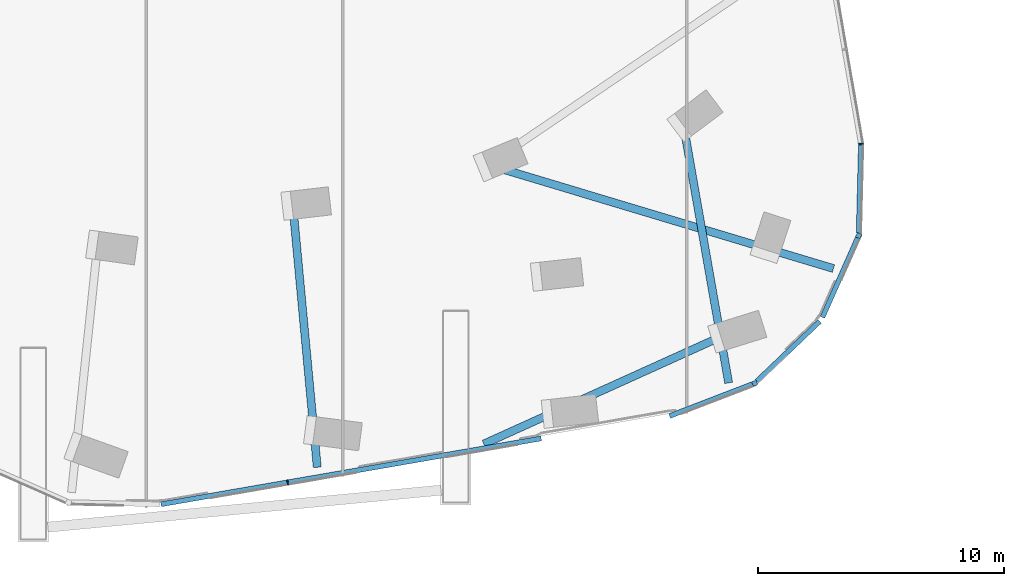
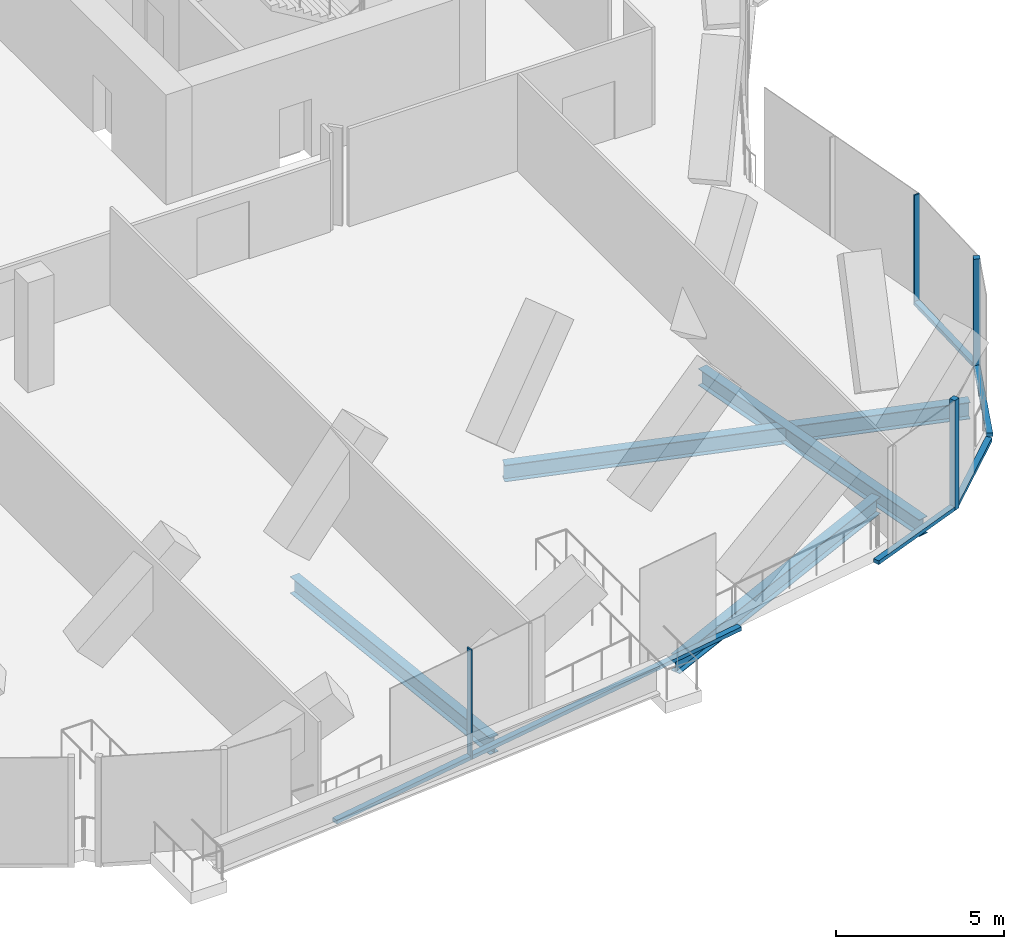
# One storey, part 4 of 26: 9 members, 4 beams, 5 elements without a shape of their own.
"""IFC4 building model written with IfcOpenShell, lengths in metres."""

from ifc_helpers import new_model, si_unit, direction, frame, origin, origin_2d, place, context, subcontext, project, spatial, rectangle, i_section, extrude, material, material_profile, profile_set, type_object, element, aggregate, save


model = new_model("IFC4")

# Units and contexts
model_context = context("Model", 3, precision=1e-05, world=origin(), true_north=direction((0.0, 1.0)))
body_context = subcontext(model_context, "Body", "Model", "MODEL_VIEW")
ifc_project = project(units=[si_unit("LENGTHUNIT", "METRE"), si_unit("AREAUNIT", "SQUARE_METRE"), si_unit("VOLUMEUNIT", "CUBIC_METRE"), si_unit("PLANEANGLEUNIT", "RADIAN"), si_unit("MASSUNIT", "GRAM", prefix="KILO")], contexts=[model_context])

# Site, building, storey
site_placement = place(None, origin())
site = spatial("IfcSite", under=ifc_project, at=site_placement, CompositionType="ELEMENT")
building_placement = place(site_placement, origin())
building = spatial("IfcBuilding", under=site, at=building_placement, Name="Orlundy Tower", CompositionType="ELEMENT")
storey_placement = place(building_placement, frame((0.0, 0.0, 249.5)))
storey = spatial("IfcBuildingStorey", under=building, at=storey_placement, Name="L66", CompositionType="ELEMENT", Elevation=249.5)

# Beams
ifc_material_1 = material(Name="Steel ASTM A992 Gr 50", Category="steel")
ifc_material_profile_1 = material_profile(ifc_material_1, i_section(OverallWidth=0.32373046875, OverallDepth=0.611083984375, WebThickness=0.0126953125, FlangeThickness=0.01904296875, at=origin_2d()), Name="W24X104")
ifc_profile_set_1 = profile_set([ifc_material_profile_1], Name="Steel ASTM A992 Gr 50")
beam_type = type_object("IfcBeamType", Name="CANTILEVER GIRDER beam W24X104", PredefinedType="BEAM", material=ifc_profile_set_1)
beam_1_placement = place(storey_placement, frame((2.96484375, -40.286376953125, -0.7255859375), z_axis=(-0.092800988253, 0.995684677285, 0.0), x_axis=(-0.995684677285, -0.092800988253, 0.0)))
element("IfcBeam", 1, at=beam_1_placement, inside=storey, type_object=beam_type, Name="Cantilever girder C-B3-5 L66", PredefinedType="BEAM", context=body_context, shape_type="SweptSolid", body=[
    extrude(i_section(OverallWidth=0.32373046875, OverallDepth=0.611083984375, WebThickness=0.0126953125, FlangeThickness=0.01904296875, at=origin_2d()), origin(), (0.0, 0.0, 1.0), 10.299560546875),
])
beam_2_placement = place(storey_placement, frame((9.74658203125, -39.338134765625, -0.7255859375), z_axis=(0.911091965417, 0.412203142337, 0.0), x_axis=(-0.412203142337, 0.911091965417, 0.0)))
element("IfcBeam", 2, at=beam_2_placement, inside=storey, type_object=beam_type, Name="Cantilever girder C-B4-5 L66", PredefinedType="BEAM", context=body_context, shape_type="SweptSolid", body=[
    extrude(i_section(OverallWidth=0.32373046875, OverallDepth=0.611083984375, WebThickness=0.0126953125, FlangeThickness=0.01904296875, at=origin_2d()), origin(), (0.0, 0.0, 1.0), 10.260009765625),
])
beam_3_placement = place(storey_placement, frame((23.980224609375, -32.19384765625, -0.7255859375), z_axis=(-0.957749440682, 0.287603909698, 0.0), x_axis=(-0.287603909698, -0.957749440682, 0.0)))
element("IfcBeam", 3, at=beam_3_placement, inside=storey, type_object=beam_type, Name="Cantilever girder C-B5-1 L66", PredefinedType="BEAM", context=body_context, shape_type="SweptSolid", body=[
    extrude(i_section(OverallWidth=0.32373046875, OverallDepth=0.611083984375, WebThickness=0.0126953125, FlangeThickness=0.01904296875, at=origin_2d()), origin(), (0.0, 0.0, 1.0), 14.259521484375),
])
beam_4_placement = place(storey_placement, frame((19.71435546875, -36.850830078125, -0.7255859375), z_axis=(-0.172569054847, 0.984997421981, 0.0), x_axis=(-0.984997421981, -0.172569054847, 0.0)))
element("IfcBeam", 4, at=beam_4_placement, inside=storey, type_object=beam_type, Name="Cantilever girder C-B5-5 L66", PredefinedType="BEAM", context=body_context, shape_type="SweptSolid", body=[
    extrude(i_section(OverallWidth=0.32373046875, OverallDepth=0.611083984375, WebThickness=0.0126953125, FlangeThickness=0.01904296875, at=origin_2d()), origin(), (0.0, 0.0, 1.0), 10.26123046875),
])

# Curtain wall, member
ifc_material_2 = material(Name="Aluminium bronze anodised", Category="aluminium")
curtain_wall_type = type_object("IfcCurtainWallType", Name="CW5 wall", PredefinedType="NOTDEFINED", material=ifc_material_2)
curtain_wall_1_placement = place(storey_placement, origin())
curtain_wall_1 = element("IfcCurtainWall", 5, at=curtain_wall_1_placement, inside=storey, type_object=curtain_wall_type, Name="CW5 run 033", PredefinedType="NOTDEFINED")
ifc_material_3 = material(Name="Aluminium bronze anodised", Category="aluminium")
ifc_material_profile_2 = material_profile(ifc_material_3, rectangle(XDim=0.199951171875, YDim=0.199951171875, at=origin_2d()), Name="CW5 corner post 200x200")
ifc_profile_set_2 = profile_set([ifc_material_profile_2], Name="Aluminium bronze anodised")
member_type_1 = type_object("IfcMemberType", Name="CW5 corner post 200x200", PredefinedType="MULLION", material=ifc_profile_set_2)
member_1_placement = place(storey_placement, frame((25.008544921875, -30.8564453125, -0.419921875), z_axis=(0.0, 0.0, 1.0), x_axis=(0.914133830763, -0.405412554633, 0.0)))
member_1 = element("IfcMember", 6, at=member_1_placement, type_object=member_type_1, Name="CW5 mullion 46", PredefinedType="MULLION", context=body_context, shape_type="SweptSolid", body=[
    extrude(rectangle(XDim=0.199951171875, YDim=0.199951171875, at=origin_2d()), origin(), (0.0, 0.0, 1.0), 4.0),
])

curtain_wall_2_placement = place(storey_placement, origin())
curtain_wall_2 = element("IfcCurtainWall", 7, at=curtain_wall_2_placement, inside=storey, type_object=curtain_wall_type, Name="CW5 run 035", PredefinedType="NOTDEFINED")
member_2_placement = place(storey_placement, frame((20.775634765625, -36.8642578125, -0.419921875), z_axis=(0.0, 0.0, 1.0), x_axis=(0.359828461467, -0.933018476944, 0.0)))
member_2 = element("IfcMember", 8, at=member_2_placement, type_object=member_type_1, Name="CW5 mullion 48", PredefinedType="MULLION", context=body_context, shape_type="SweptSolid", body=[
    extrude(rectangle(XDim=0.199951171875, YDim=0.199951171875, at=origin_2d()), origin(), (0.0, 0.0, 1.0), 4.0),
])

curtain_wall_3_placement = place(storey_placement, origin())
curtain_wall_3 = element("IfcCurtainWall", 9, at=curtain_wall_3_placement, inside=storey, type_object=curtain_wall_type, Name="CW5 run 032", PredefinedType="NOTDEFINED")
ifc_material_4 = material(Name="Aluminium bronze anodised", Category="aluminium")
ifc_material_profile_3 = material_profile(ifc_material_4, rectangle(XDim=0.199951171875, YDim=0.050048828125, at=origin_2d()), Name="CW5 mullion 50x200")
ifc_profile_set_3 = profile_set([ifc_material_profile_3], Name="Aluminium bronze anodised")
member_type_2 = type_object("IfcMemberType", Name="CW5 mullion 50x200", PredefinedType="MULLION", material=ifc_profile_set_3)
member_3_placement = place(storey_placement, frame((25.10009765625, -27.12158203125, -0.419921875), z_axis=(0.0, 0.0, 1.0), x_axis=(0.9972996306, 0.073440089904, 0.0)))
member_3 = element("IfcMember", 10, at=member_3_placement, type_object=member_type_2, Name="CW5 mullion 45", PredefinedType="MULLION", context=body_context, shape_type="SweptSolid", body=[
    extrude(rectangle(XDim=0.199951171875, YDim=0.050048828125, at=origin_2d()), origin(), (0.0, 0.0, 1.0), 4.0),
])

curtain_wall_4_placement = place(storey_placement, origin())
curtain_wall_4 = element("IfcCurtainWall", 11, at=curtain_wall_4_placement, inside=storey, type_object=curtain_wall_type, Name="CW5 run 036", PredefinedType="NOTDEFINED")
member_4_placement = place(storey_placement, frame((1.7607421875, -40.900146484375, -0.419921875), z_axis=(0.0, 0.0, 1.0), x_axis=(0.170766381732, -0.985311546096, 0.0)))
member_4 = element("IfcMember", 12, at=member_4_placement, type_object=member_type_2, Name="CW5 mullion 52", PredefinedType="MULLION", context=body_context, shape_type="SweptSolid", body=[
    extrude(rectangle(XDim=0.199951171875, YDim=0.050048828125, at=origin_2d()), origin(), (0.0, 0.0, 1.0), 4.0),
])

# Member
ifc_material_5 = material(Name="Aluminium bronze anodised", Category="aluminium")
ifc_material_profile_4 = material_profile(ifc_material_5, rectangle(XDim=0.199951171875, YDim=0.139892578125, at=origin_2d()), Name="CW5 transom 200x140")
ifc_profile_set_4 = profile_set([ifc_material_profile_4], Name="Aluminium bronze anodised")
member_type_3 = type_object("IfcMemberType", Name="CW5 transom 200x140", PredefinedType="USERDEFINED", material=ifc_profile_set_4)
member_5_placement = place(storey_placement, frame((25.099609375, -27.146728515625, -0.35009765625), z_axis=(-0.024533322664, -0.999699012743, 0.0), x_axis=(0.999699012743, -0.024533322664, 0.0)))
member_5 = element("IfcMember", 13, at=member_5_placement, type_object=member_type_3, Name="CW5 transom", ObjectType="TRANSOM", PredefinedType="USERDEFINED", context=body_context, shape_type="SweptSolid", body=[
    extrude(rectangle(XDim=0.199951171875, YDim=0.139892578125, at=origin_2d()), origin(), (0.0, 0.0, 1.0), 3.602294921875),
])

aggregate(curtain_wall_3, [member_3, member_5])

member_6_placement = place(storey_placement, frame((24.968017578125, -30.94775390625, -0.35009765625), z_axis=(-0.405427863629, -0.914127041167, 0.0), x_axis=(0.914127041167, -0.405427863629, 0.0)))
member_6 = element("IfcMember", 14, at=member_6_placement, type_object=member_type_3, Name="CW5 transom", ObjectType="TRANSOM", PredefinedType="USERDEFINED", context=body_context, shape_type="SweptSolid", body=[
    extrude(rectangle(XDim=0.199951171875, YDim=0.139892578125, at=origin_2d()), origin(), (0.0, 0.0, 1.0), 3.5390625),
])

aggregate(curtain_wall_1, [member_1, member_6])

# Curtain wall, member
curtain_wall_5_placement = place(storey_placement, origin())
curtain_wall_5 = element("IfcCurtainWall", 15, at=curtain_wall_5_placement, inside=storey, type_object=curtain_wall_type, Name="CW5 run 034", PredefinedType="NOTDEFINED")
member_7_placement = place(storey_placement, frame((23.4169921875, -34.3505859375, -0.35009765625), z_axis=(-0.724416846537, -0.689362192504, 0.0), x_axis=(0.689362192504, -0.724416846537, 0.0)))
member_7 = element("IfcMember", 16, at=member_7_placement, type_object=member_type_3, Name="CW5 transom", ObjectType="TRANSOM", PredefinedType="USERDEFINED", context=body_context, shape_type="SweptSolid", body=[
    extrude(rectangle(XDim=0.199951171875, YDim=0.139892578125, at=origin_2d()), origin(), (0.0, 0.0, 1.0), 3.5380859375),
])
aggregate(curtain_wall_5, [member_7])

# Member
member_8_placement = place(storey_placement, frame((20.68212890625, -36.900146484375, -0.35009765625), z_axis=(-0.93302467673, -0.359812385296, 0.0), x_axis=(0.359812385296, -0.93302467673, 0.0)))
member_8 = element("IfcMember", 17, at=member_8_placement, type_object=member_type_3, Name="CW5 transom", ObjectType="TRANSOM", PredefinedType="USERDEFINED", context=body_context, shape_type="SweptSolid", body=[
    extrude(rectangle(XDim=0.199951171875, YDim=0.139892578125, at=origin_2d()), origin(), (0.0, 0.0, 1.0), 3.61181640625),
])

aggregate(curtain_wall_2, [member_2, member_8])

member_9_placement = place(storey_placement, frame((12.081787109375, -39.111328125, -0.35009765625), z_axis=(-0.985311960362, -0.170763991427, 0.0), x_axis=(0.170763991427, -0.985311960362, 0.0)))
member_9 = element("IfcMember", 18, at=member_9_placement, type_object=member_type_3, Name="CW5 transom", ObjectType="TRANSOM", PredefinedType="USERDEFINED", context=body_context, shape_type="SweptSolid", body=[
    extrude(rectangle(XDim=0.199951171875, YDim=0.139892578125, at=origin_2d()), origin(), (0.0, 0.0, 1.0), 15.70947265625),
])

aggregate(curtain_wall_4, [member_4, member_9])

save(model, "model.ifc")
